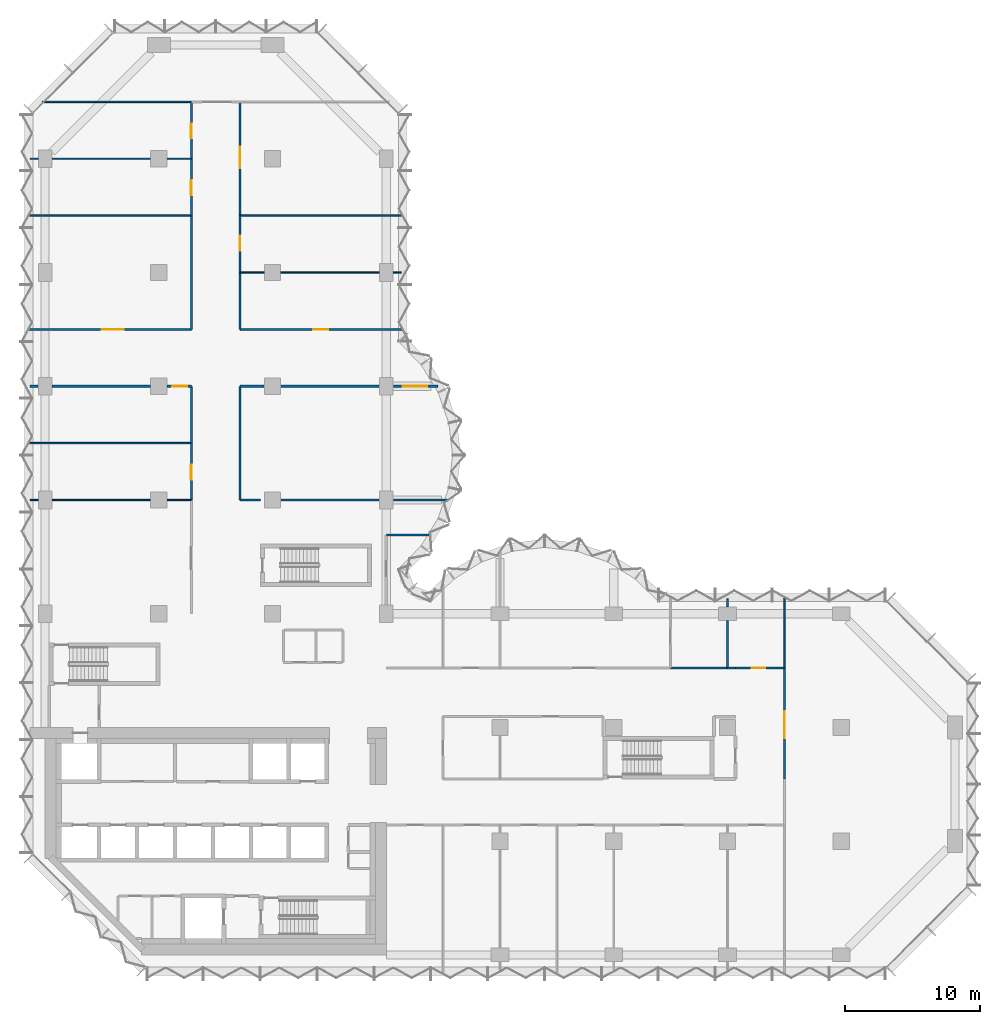
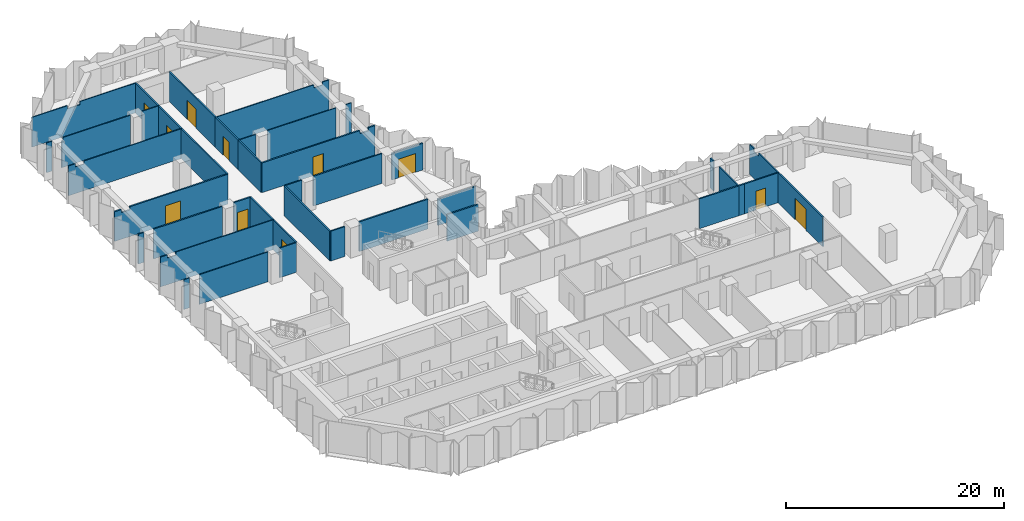
# One storey, part 10 of 13: 41 walls, 11 doors, 11 openings.
"""IFC4 building model written with IfcOpenShell, lengths in metres."""

import ifcopenshell
import ifcopenshell.guid

model = None  # the IFC model being written
_history = None  # IfcOwnerHistory: only IFC2X3 demands one
_inside = {}  # id of a spatial element -> (the spatial element, [elements in it])
_under = {}  # id of a project, library or spatial element -> (it, [spatial elements below it])
_declared = {}  # id of a project -> (the project, [libraries it declares])
_typed = {}  # id of a type object -> (the type object, [elements of that type])
_made_of = {}  # id of a material, layer set ... -> (it, [elements and type objects made of it])


def new_model(schema):
    """Start an empty IFC model of exactly this schema.

    Asked for "IFC4X3", IfcOpenShell would pick the latest addendum, in which some entities
    have other attributes; the version numbers below select the first issue.
    IFC2X3 requires an IfcOwnerHistory on every rooted entity: one is made here for all.
    """
    global model, _history
    if schema == "IFC4X3":
        model = ifcopenshell.file(schema_version=(4, 3, 0, 0))
    else:
        model = ifcopenshell.file(schema=schema)
    _inside.clear()
    _under.clear()
    _declared.clear()
    _typed.clear()
    _made_of.clear()
    _history = None
    if model.schema == "IFC2X3":
        org = make("IfcOrganization", Name="unknown")
        user = make(
            "IfcPersonAndOrganization",
            ThePerson=make("IfcPerson", FamilyName="unknown"),
            TheOrganization=org,
        )
        app = make(
            "IfcApplication",
            ApplicationDeveloper=org,
            Version="unknown",
            ApplicationFullName="unknown",
            ApplicationIdentifier="unknown",
        )
        _history = make(
            "IfcOwnerHistory",
            OwningUser=user,
            OwningApplication=app,
            ChangeAction="ADDED",
            CreationDate=0,
        )
    return model


def make(cls, **values):
    """One entity of the class cls with the attributes given. An attribute that is None is left unset."""
    return model.create_entity(
        cls, **{name: value for name, value in values.items() if value is not None}
    )


def rooted(cls, **values):
    """An entity with a GlobalId (a new one), such as an element, a storey or a relation."""
    return make(cls, GlobalId=ifcopenshell.guid.new(), OwnerHistory=_history, **values)


def si_unit(unit_type, name, prefix=None):
    """IfcSIUnit, for example si_unit("LENGTHUNIT", "METRE", prefix="MILLI")."""
    return make("IfcSIUnit", UnitType=unit_type, Prefix=prefix, Name=name)


def assignment(units):
    """IfcUnitAssignment: the units of a project."""
    return None if units is None else make("IfcUnitAssignment", Units=units)


def point(xyz):
    """IfcCartesianPoint."""
    return None if xyz is None else make("IfcCartesianPoint", Coordinates=xyz)


def direction(xyz):
    """IfcDirection."""
    return None if xyz is None else make("IfcDirection", DirectionRatios=xyz)


def frame(location, z_axis=None, x_axis=None):
    """IfcAxis2Placement3D, a coordinate frame: its origin and axes. An axis left out is left unset."""
    return make(
        "IfcAxis2Placement3D",
        Location=point(location),
        Axis=direction(z_axis),
        RefDirection=direction(x_axis),
    )


def frame_2d(location, x_axis=None):
    """IfcAxis2Placement2D, a coordinate frame in the plane: its origin and x axis."""
    return make(
        "IfcAxis2Placement2D", Location=point(location), RefDirection=direction(x_axis)
    )


def origin():
    """The frame at (0, 0, 0) with its axes left unset."""
    return frame((0.0, 0.0, 0.0))


def place(relative_to, where):
    """IfcLocalPlacement: puts the frame where relative to a parent placement (None: the world)."""
    return make(
        "IfcLocalPlacement", PlacementRelTo=relative_to, RelativePlacement=where
    )


def context(
    kind, dimensions, precision=None, world=None, true_north=None, identifier=None
):
    """IfcGeometricRepresentationContext, for example the 3D "Model" context."""
    return make(
        "IfcGeometricRepresentationContext",
        ContextIdentifier=identifier,
        ContextType=kind,
        CoordinateSpaceDimension=dimensions,
        Precision=precision,
        WorldCoordinateSystem=world,
        TrueNorth=true_north,
    )


def subcontext(parent, identifier, kind, view, scale=None):
    """IfcGeometricRepresentationSubContext, for example "Body" below "Model"."""
    return make(
        "IfcGeometricRepresentationSubContext",
        ContextIdentifier=identifier,
        ContextType=kind,
        ParentContext=parent,
        TargetScale=scale,
        TargetView=view,
    )


def project(units=None, contexts=None):
    """IfcProject with its units and contexts."""
    return rooted(
        "IfcProject",
        Name="project",
        RepresentationContexts=contexts,
        UnitsInContext=assignment(units),
    )


def spatial(cls, under=None, at=None, **own):
    """A site, building, storey or space (cls), placed at a placement, below another one or the project."""
    s = rooted(cls, ObjectPlacement=at, **own)
    if under is not None:
        _under.setdefault(under.id(), (under, []))[1].append(s)
    return s


def polyline(points):
    """IfcPolyline through the points."""
    return make("IfcPolyline", Points=[point(p) for p in points])


def profile(cls, at=None, kind="AREA", **sizes):
    """A parametric profile (cls). Its sizes go by their IFC names, for example OverallWidth=200.0."""
    return make(cls, ProfileType=kind, Position=at, **sizes)


def rectangle(**sizes):
    """IfcRectangleProfileDef."""
    return profile("IfcRectangleProfileDef", **sizes)


def outline(outer, holes=None, kind="AREA"):
    """IfcArbitraryClosedProfileDef: a profile drawn as a closed curve; with holes, ...WithVoids."""
    if holes is None:
        return make("IfcArbitraryClosedProfileDef", ProfileType=kind, OuterCurve=outer)
    return make(
        "IfcArbitraryProfileDefWithVoids",
        ProfileType=kind,
        OuterCurve=outer,
        InnerCurves=holes,
    )


def extrude(swept, where, along, depth):
    """IfcExtrudedAreaSolid: the profile swept, set in the frame where, extruded along a direction by depth."""
    return make(
        "IfcExtrudedAreaSolid",
        SweptArea=swept,
        Position=where,
        ExtrudedDirection=direction(along),
        Depth=depth,
    )


def shape(context_of_items, identifier, shape_type, items):
    """IfcShapeRepresentation: the items that make up one representation, for example the "Body"."""
    return make(
        "IfcShapeRepresentation",
        ContextOfItems=context_of_items,
        RepresentationIdentifier=identifier,
        RepresentationType=shape_type,
        Items=items,
    )


def material(Name=None, Category=None):
    """IfcMaterial."""
    return make("IfcMaterial", Name=Name, Category=Category)


def layer(
    of_material, thickness, ventilated=None, Name=None, Category=None, Priority=None
):
    """IfcMaterialLayer: one layer of a wall or slab, of a material (None: an air gap)."""
    return make(
        "IfcMaterialLayer",
        Material=of_material,
        LayerThickness=thickness,
        IsVentilated=ventilated,
        Name=Name,
        Category=Category,
        Priority=Priority,
    )


def layer_set(layers, Name=None):
    """IfcMaterialLayerSet."""
    return make("IfcMaterialLayerSet", MaterialLayers=layers, LayerSetName=Name)


def made_of(thing, what):
    """Note that an element or type object is made of a material, layer set ...; save() writes the relation."""
    if what is not None:
        _made_of.setdefault(what.id(), (what, []))[1].append(thing)
    return thing


def type_object(cls, material=None, **own):
    """A type object (cls), such as IfcWallType, which elements share."""
    return made_of(rooted(cls, **own), material)


def element(
    cls,
    number,
    at=None,
    inside=None,
    cuts=None,
    type_object=None,
    material=None,
    context=None,
    identifier="Body",
    shape_type=None,
    held_by="IfcProductDefinitionShape",
    body=None,
    shapes=None,
    **own,
):
    """One element of the class cls, such as IfcWall. Its Tag is "e" and its number.

    at: its placement. inside: the storey or other place that contains it. cuts: it is an
    opening in that element (IfcRelVoidsElement). A single representation is given by context,
    identifier, shape_type and body (its items); several are given by shapes. held_by: the class
    of the entity that holds the representations. save() writes the other relations.
    """
    e = rooted(cls, Tag="e%d" % number, ObjectPlacement=at, **own)
    if body is not None:
        shapes = [shape(context, identifier, shape_type, body)]
    if shapes is not None:
        e.Representation = make(held_by, Representations=shapes)
    if inside is not None:
        _inside.setdefault(inside.id(), (inside, []))[1].append(e)
    if cuts is not None:
        rooted(
            "IfcRelVoidsElement", RelatingBuildingElement=cuts, RelatedOpeningElement=e
        )
    if type_object is not None:
        _typed.setdefault(type_object.id(), (type_object, []))[1].append(e)
    return made_of(e, material)


def fill(opening, filler):
    """IfcRelFillsElement: the door or window that sits in an opening."""
    return rooted(
        "IfcRelFillsElement",
        RelatingOpeningElement=opening,
        RelatedBuildingElement=filler,
    )


def aggregate(whole, parts):
    """IfcRelAggregates: a whole, such as a stair, and the parts it consists of."""
    return rooted("IfcRelAggregates", RelatingObject=whole, RelatedObjects=parts)


def save(model, path):
    """Write the relations noted so far, then the file.

    IfcRelAggregates (storeys below a building ...), IfcRelContainedInSpatialStructure (elements
    in a storey), IfcRelDefinesByType, IfcRelAssociatesMaterial and IfcRelDeclares: one each for
    every whole, place, type object, material and project.
    """
    for whole, parts in _under.values():
        aggregate(whole, parts)
    for where, things in _inside.values():
        rooted(
            "IfcRelContainedInSpatialStructure",
            RelatedElements=things,
            RelatingStructure=where,
        )
    for kind, things in _typed.values():
        rooted("IfcRelDefinesByType", RelatedObjects=things, RelatingType=kind)
    for what, things in _made_of.values():
        rooted("IfcRelAssociatesMaterial", RelatedObjects=things, RelatingMaterial=what)
    for by, libraries in _declared.values():
        rooted("IfcRelDeclares", RelatingContext=by, RelatedDefinitions=libraries)
    model.write(path)


model = new_model("IFC4")

# Units and contexts
model_context = context("Model", 3, precision=1e-05, world=origin(), true_north=direction((0.0, 1.0)))
body_context = subcontext(model_context, "Body", "Model", "MODEL_VIEW")
ifc_project = project(units=[si_unit("LENGTHUNIT", "METRE"), si_unit("AREAUNIT", "SQUARE_METRE"), si_unit("VOLUMEUNIT", "CUBIC_METRE"), si_unit("PLANEANGLEUNIT", "RADIAN"), si_unit("MASSUNIT", "GRAM", prefix="KILO")], contexts=[model_context])

# Site, building, storey
site_placement = place(None, origin())
site = spatial("IfcSite", under=ifc_project, at=site_placement, CompositionType="ELEMENT")
building_placement = place(site_placement, origin())
building = spatial("IfcBuilding", under=site, at=building_placement, Name="Brevane Broadcast Tower", CompositionType="ELEMENT")
storey_placement = place(building_placement, frame((0.0, 0.0, 124.10009765625)))
storey = spatial("IfcBuildingStorey", under=building, at=storey_placement, Name="L30", CompositionType="ELEMENT", Elevation=124.10009765625)

# Walls
ifc_material_1 = material(Name="Gypsum board partition")
ifc_layer_1 = layer(ifc_material_1, 0.10009765625)
ifc_layer_set_1 = layer_set([ifc_layer_1], Name="PARTITION 100 STUD")
wall_type_1 = type_object("IfcWallType", Name="PARTITION 100 STUD", PredefinedType="PARTITIONING", material=ifc_layer_set_1)
wall_1_placement = place(storey_placement, frame((54.60009765625, 21.199951171875, 0.0), z_axis=(0.0, 0.0, 1.0), x_axis=(0.0, 1.0, 0.0)))
element("IfcWall", 1, at=wall_1_placement, inside=storey, type_object=wall_type_1, Name="Partition G09-018", PredefinedType="PARTITIONING", context=body_context, shape_type="SweptSolid", body=[
    extrude(outline(polyline([(0.0, 0.0), (5.174072265625, 0.0), (5.174072265625, 3.329833984375), (5.10009765625, 3.329833984375), (4.449951171875, 3.329833984375), (4.447998046875, 2.97998046875), (3.552001953125, 2.97998046875), (3.550048828125, 3.329833984375), (0.0, 3.329833984375), (0.0, 0.0)])), frame((0.0, 0.050048828125, 0.0), z_axis=(0.0, -1.0, 0.0), x_axis=(1.0, 0.0, 0.0)), (0.0, 0.0, 1.0), 0.10009765625),
])
wall_2_placement = place(storey_placement, frame((10.800048828125, 63.0, 0.0), z_axis=(0.0, 0.0, 1.0), x_axis=(-1.0, 0.0, 0.0)))
element("IfcWall", 2, at=wall_2_placement, inside=storey, type_object=wall_type_1, Name="Partition G09-061", PredefinedType="PARTITIONING", context=body_context, shape_type="SweptSolid", body=[
    extrude(outline(polyline([(0.0, 0.0), (11.0, 0.0), (11.0, 3.329833984375), (7.265625, 3.329833984375), (7.263671875, 2.97998046875), (5.936279296875, 2.97998046875), (5.934326171875, 3.329833984375), (0.0, 3.329833984375), (0.0, 0.0)])), frame((0.0, 0.050048828125, 0.0), z_axis=(0.0, -1.0, 0.0), x_axis=(1.0, 0.0, 0.0)), (0.0, 0.0, 1.0), 0.10009765625),
])
wall_3_placement = place(storey_placement, frame((-1.10009765625, 33.60009765625, 0.0), z_axis=(0.0, 0.0, 1.0), x_axis=(1.0, 0.0, 0.0)))
element("IfcWall", 3, at=wall_3_placement, inside=storey, type_object=wall_type_1, Name="Partition G09-067", PredefinedType="PARTITIONING", context=body_context, shape_type="SweptSolid", body=[
    extrude(rectangle(XDim=0.580078125, YDim=0.10009765625, at=frame_2d((0.2900390625, 0.0))), origin(), (0.0, 0.0, 1.0), 3.329833984375),
])
wall_4_placement = place(storey_placement, frame((0.52001953125, 33.60009765625, 0.0), z_axis=(0.0, 0.0, 1.0), x_axis=(1.0, 0.0, 0.0)))
element("IfcWall", 4, at=wall_4_placement, inside=storey, type_object=wall_type_1, Name="Partition G09-068", PredefinedType="PARTITIONING", context=body_context, shape_type="SweptSolid", body=[
    extrude(rectangle(XDim=7.260009765625, YDim=0.10009765625, at=frame_2d((3.6298828125, 0.0))), origin(), (0.0, 0.0, 1.0), 3.329833984375),
])
wall_5_placement = place(storey_placement, frame((9.02001953125, 33.60009765625, 0.0), z_axis=(0.0, 0.0, 1.0), x_axis=(1.0, 0.0, 0.0)))
element("IfcWall", 5, at=wall_5_placement, inside=storey, type_object=wall_type_1, Name="Partition G09-069", PredefinedType="PARTITIONING", context=body_context, shape_type="SweptSolid", body=[
    extrude(rectangle(XDim=1.780029296875, YDim=0.10009765625, at=frame_2d((0.89013671875, 0.0))), origin(), (0.0, 0.0, 1.0), 3.329833984375),
])
for number, where, z_axis, x_axis, name in (
    (6, (-1.174072265625, 37.800048828125, 0.0), (0.0, 0.0, 1.0), (1.0, 0.0, 0.0), "Partition G09-070"),
    (7, (-1.174072265625, 54.60009765625, 0.0), (0.0, 0.0, 1.0), (1.0, 0.0, 0.0), "Partition G09-071"),
):
    element("IfcWall", number, at=place(storey_placement, frame(where, z_axis=z_axis, x_axis=x_axis)), inside=storey, type_object=wall_type_1, Name=name, PredefinedType="PARTITIONING", context=body_context, shape_type="SweptSolid", body=[
        extrude(outline(polyline([(0.0, 0.0), (11.97412109375, 0.0), (11.97412109375, 3.329833984375), (1.6240234375, 3.329833984375), (1.6220703125, 2.97998046875), (0.72607421875, 2.97998046875), (0.72412109375, 3.329833984375), (0.073974609375, 3.329833984375), (0.0, 3.329833984375), (0.0, 0.0)])), frame((0.0, 0.050048828125, 0.0), z_axis=(0.0, -1.0, 0.0), x_axis=(1.0, 0.0, 0.0)), (0.0, 0.0, 1.0), 0.10009765625),
    ])
wall_6_placement = place(storey_placement, frame((-1.10009765625, 58.800048828125, 0.0), z_axis=(0.0, 0.0, 1.0), x_axis=(1.0, 0.0, 0.0)))
element("IfcWall", 8, at=wall_6_placement, inside=storey, type_object=wall_type_1, Name="Partition G09-072", PredefinedType="PARTITIONING", context=body_context, shape_type="SweptSolid", body=[
    extrude(rectangle(XDim=0.580078125, YDim=0.10009765625, at=frame_2d((0.2900390625, 0.0))), origin(), (0.0, 0.0, 1.0), 3.329833984375),
])
wall_7_placement = place(storey_placement, frame((0.52001953125, 58.800048828125, 0.0), z_axis=(0.0, 0.0, 1.0), x_axis=(1.0, 0.0, 0.0)))
element("IfcWall", 9, at=wall_7_placement, inside=storey, type_object=wall_type_1, Name="Partition G09-073", PredefinedType="PARTITIONING", context=body_context, shape_type="SweptSolid", body=[
    extrude(outline(polyline([(0.0, 0.0), (7.260009765625, 0.0), (7.260009765625, 3.329833984375), (0.145751953125, 3.329833984375), (0.143798828125, 2.97998046875), (0.0, 2.97998046875), (0.0, 0.0)])), frame((0.0, 0.050048828125, 0.0), z_axis=(0.0, -1.0, 0.0), x_axis=(1.0, 0.0, 0.0)), (0.0, 0.0, 1.0), 0.10009765625),
])
for number, where, z_axis, x_axis, name in (
    (10, (9.02001953125, 58.800048828125, 0.0), (0.0, 0.0, 1.0), (1.0, 0.0, 0.0), "Partition G09-074"),
    (11, (14.39990234375, 50.39990234375, 0.0), (0.0, 0.0, 1.0), (1.0, 0.0, 0.0), "Partition G09-079"),
):
    element("IfcWall", number, at=place(storey_placement, frame(where, z_axis=z_axis, x_axis=x_axis)), inside=storey, type_object=wall_type_1, Name=name, PredefinedType="PARTITIONING", context=body_context, shape_type="SweptSolid", body=[
        extrude(rectangle(XDim=1.780029296875, YDim=0.10009765625, at=frame_2d((0.89013671875, 0.0))), origin(), (0.0, 0.0, 1.0), 3.329833984375),
    ])
wall_8_placement = place(storey_placement, frame((17.419921875, 50.39990234375, 0.0), z_axis=(0.0, 0.0, 1.0), x_axis=(1.0, 0.0, 0.0)))
element("IfcWall", 12, at=wall_8_placement, inside=storey, type_object=wall_type_1, Name="Partition G09-080", PredefinedType="PARTITIONING", context=body_context, shape_type="SweptSolid", body=[
    extrude(rectangle(XDim=7.260009765625, YDim=0.10009765625, at=frame_2d((3.6298828125, 0.0))), origin(), (0.0, 0.0, 1.0), 3.329833984375),
])
wall_9_placement = place(storey_placement, frame((25.719970703125, 50.39990234375, 0.0), z_axis=(0.0, 0.0, 1.0), x_axis=(1.0, 0.0, 0.0)))
element("IfcWall", 13, at=wall_9_placement, inside=storey, type_object=wall_type_1, Name="Partition G09-081", PredefinedType="PARTITIONING", context=body_context, shape_type="SweptSolid", body=[
    extrude(rectangle(XDim=0.580078125, YDim=0.10009765625, at=frame_2d((0.2900390625, 0.0))), origin(), (0.0, 0.0, 1.0), 3.329833984375),
])
wall_10_placement = place(storey_placement, frame((14.39990234375, 54.60009765625, 0.0), z_axis=(0.0, 0.0, 1.0), x_axis=(1.0, 0.0, 0.0)))
element("IfcWall", 14, at=wall_10_placement, inside=storey, type_object=wall_type_1, Name="Partition G09-082", PredefinedType="PARTITIONING", context=body_context, shape_type="SweptSolid", body=[
    extrude(outline(polyline([(0.0, 0.0), (11.97412109375, 0.0), (11.97412109375, 3.329833984375), (11.89990234375, 3.329833984375), (11.25, 3.329833984375), (11.248046875, 2.97998046875), (10.35205078125, 2.97998046875), (10.35009765625, 3.329833984375), (0.0, 3.329833984375), (0.0, 0.0)])), frame((0.0, 0.050048828125, 0.0), z_axis=(0.0, -1.0, 0.0), x_axis=(1.0, 0.0, 0.0)), (0.0, 0.0, 1.0), 0.10009765625),
])
ifc_layer_2 = layer(ifc_material_1, 0.125)
ifc_layer_set_2 = layer_set([ifc_layer_2], Name="PARTITION 125 ACOUSTIC")
wall_type_2 = type_object("IfcWallType", Name="PARTITION 125 ACOUSTIC", PredefinedType="PARTITIONING", material=ifc_layer_set_2)
wall_11_placement = place(storey_placement, frame((50.39990234375, 26.300048828125, 0.0), z_axis=(0.0, 0.0, 1.0), x_axis=(0.0, -1.0, 0.0)))
element("IfcWall", 15, at=wall_11_placement, inside=storey, type_object=wall_type_2, Name="Partition G09-045", PredefinedType="PARTITIONING", context=body_context, shape_type="SweptSolid", body=[
    extrude(rectangle(XDim=0.580078125, YDim=0.125, at=frame_2d((0.2900390625, 0.0))), origin(), (0.0, 0.0, 1.0), 3.329833984375),
])
wall_12_placement = place(storey_placement, frame((50.39990234375, 24.679931640625, 0.0), z_axis=(0.0, 0.0, 1.0), x_axis=(0.0, -1.0, 0.0)))
element("IfcWall", 16, at=wall_12_placement, inside=storey, type_object=wall_type_2, Name="Partition G09-046", PredefinedType="PARTITIONING", context=body_context, shape_type="SweptSolid", body=[
    extrude(rectangle(XDim=3.47998046875, YDim=0.125, at=frame_2d((1.739990234375, 0.0))), origin(), (0.0, 0.0, 1.0), 3.329833984375),
])
ifc_layer_3 = layer(ifc_material_1, 0.14990234375)
ifc_layer_set_3 = layer_set([ifc_layer_3], Name="PARTITION 150 EI 60")
wall_type_3 = type_object("IfcWallType", Name="PARTITION 150 EI 60", PredefinedType="PARTITIONING", material=ifc_layer_set_3)
wall_13_placement = place(storey_placement, frame((25.199951171875, 31.0, 0.0), z_axis=(0.0, 0.0, 1.0), x_axis=(1.0, 0.0, 0.0)))
element("IfcWall", 17, at=wall_13_placement, inside=storey, type_object=wall_type_3, Name="Partition G09-006", PredefinedType="PARTITIONING", context=body_context, shape_type="SweptSolid", body=[
    extrude(rectangle(XDim=3.32421875, YDim=0.14990234375, at=frame_2d((1.662109375, 0.0))), origin(), (0.0, 0.0, 1.0), 2.97998046875),
])

# Wall, opening, door
wall_14_placement = place(storey_placement, frame((54.60009765625, 21.199951171875, 0.0), z_axis=(0.0, 0.0, 1.0), x_axis=(0.0, -1.0, 0.0)))
wall_14 = element("IfcWall", 18, at=wall_14_placement, inside=storey, type_object=wall_type_3, Name="Partition G09-016", PredefinedType="PARTITIONING", context=body_context, shape_type="SweptSolid", body=[
    extrude(rectangle(XDim=8.199951171875, YDim=0.14990234375, at=frame_2d((4.10009765625, 0.0))), origin(), (0.0, 0.0, 1.0), 3.329833984375),
])
opening_1_placement = place(wall_14_placement, frame((3.199951171875, 0.0, 0.0)))
opening_1 = element("IfcOpeningElement", 19, at=opening_1_placement, cuts=wall_14, Name="Opening D16-002", PredefinedType="OPENING", context=body_context, shape_type="SweptSolid", body=[
    extrude(rectangle(XDim=2.0, YDim=2.39990234375, at=frame_2d((1.0, 1.199951171875))), frame((0.0, 0.0849609375, 0.0), z_axis=(0.0, -1.0, 0.0), x_axis=(1.0, 0.0, 0.0)), (0.0, 0.0, 1.0), 0.169921875),
])
ifc_material_2 = material(Name="Fire-rated timber door leaf", Category="wood")
door_type_1 = type_object("IfcDoorType", Name="DOOR DOUBLE 2000 FD30S", OperationType="DOUBLE_DOOR_SINGLE_SWING", PredefinedType="DOOR", material=ifc_material_2)
door_1_placement = place(opening_1_placement, origin())
door_1 = element("IfcDoor", 20, at=door_1_placement, inside=storey, type_object=door_type_1, Name="Door D16-002", OperationType="DOUBLE_DOOR_SINGLE_SWING", OverallHeight=2.39990234375, OverallWidth=2.0, PredefinedType="DOOR", context=body_context, shape_type="SweptSolid", body=[
    extrude(rectangle(XDim=2.0, YDim=2.39990234375, at=frame_2d((1.0, 1.199951171875))), frame((0.0, 0.02490234375, 0.0), z_axis=(0.0, -1.0, 0.0), x_axis=(1.0, 0.0, 0.0)), (0.0, 0.0, 1.0), 0.050048828125),
])
fill(opening_1, door_1)

# Walls
wall_15_placement = place(storey_placement, frame((46.199951171875, 21.199951171875, 0.0), z_axis=(0.0, 0.0, 1.0), x_axis=(1.0, 0.0, 0.0)))
element("IfcWall", 21, at=wall_15_placement, inside=storey, type_object=wall_type_3, Name="Partition G09-026", PredefinedType="PARTITIONING", context=body_context, shape_type="SweptSolid", body=[
    extrude(rectangle(XDim=4.199951171875, YDim=0.14990234375, at=frame_2d((2.10009765625, 0.0))), origin(), (0.0, 0.0, 1.0), 3.329833984375),
])
wall_16_placement = place(storey_placement, frame((50.39990234375, 21.199951171875, 0.0), z_axis=(0.0, 0.0, 1.0), x_axis=(1.0, 0.0, 0.0)))
element("IfcWall", 22, at=wall_16_placement, inside=storey, type_object=wall_type_3, Name="Partition G09-027", PredefinedType="PARTITIONING", context=body_context, shape_type="SweptSolid", body=[
    extrude(rectangle(XDim=0.60009765625, YDim=0.14990234375, at=frame_2d((0.300048828125, 0.0))), origin(), (0.0, 0.0, 1.0), 3.329833984375),
])

# Wall, opening, door
wall_17_placement = place(storey_placement, frame((51.0, 21.199951171875, 0.0), z_axis=(0.0, 0.0, 1.0), x_axis=(1.0, 0.0, 0.0)))
wall_17 = element("IfcWall", 23, at=wall_17_placement, inside=storey, type_object=wall_type_3, Name="Partition G09-029", PredefinedType="PARTITIONING", context=body_context, shape_type="SweptSolid", body=[
    extrude(rectangle(XDim=3.60009765625, YDim=0.14990234375, at=frame_2d((1.800048828125, 0.0))), origin(), (0.0, 0.0, 1.0), 3.329833984375),
])
opening_2_placement = place(wall_17_placement, frame((1.199951171875, 0.0, 0.0)))
opening_2 = element("IfcOpeningElement", 24, at=opening_2_placement, cuts=wall_17, Name="Opening D16-015", PredefinedType="OPENING", context=body_context, shape_type="SweptSolid", body=[
    extrude(rectangle(XDim=1.0, YDim=2.10009765625, at=frame_2d((0.5, 1.050048828125))), frame((0.0, 0.0849609375, 0.0), z_axis=(0.0, -1.0, 0.0), x_axis=(1.0, 0.0, 0.0)), (0.0, 0.0, 1.0), 0.169921875),
])
door_type_2 = type_object("IfcDoorType", Name="DOOR SINGLE 1000 FD30S", OperationType="SINGLE_SWING_LEFT", PredefinedType="DOOR", material=ifc_material_2)
door_2_placement = place(opening_2_placement, origin())
door_2 = element("IfcDoor", 25, at=door_2_placement, inside=storey, type_object=door_type_2, Name="Door D16-015", OperationType="SINGLE_SWING_LEFT", OverallHeight=2.10009765625, OverallWidth=1.0, PredefinedType="DOOR", context=body_context, shape_type="SweptSolid", body=[
    extrude(rectangle(XDim=1.0, YDim=2.10009765625, at=frame_2d((0.5, 1.050048828125))), frame((0.0, 0.02490234375, 0.0), z_axis=(0.0, -1.0, 0.0), x_axis=(1.0, 0.0, 0.0)), (0.0, 0.0, 1.0), 0.050048828125),
])
fill(opening_2, door_2)

# Walls
wall_18_placement = place(storey_placement, frame((14.39990234375, 33.60009765625, 0.0), z_axis=(0.0, 0.0, 1.0), x_axis=(1.0, 0.0, 0.0)))
element("IfcWall", 26, at=wall_18_placement, inside=storey, type_object=wall_type_3, Name="Partition G09-048", PredefinedType="PARTITIONING", context=body_context, shape_type="SweptSolid", body=[
    extrude(rectangle(XDim=1.5, YDim=0.14990234375, at=frame_2d((0.75, 0.0))), origin(), (0.0, 0.0, 1.0), 3.329833984375),
])
wall_19_placement = place(storey_placement, frame((17.419921875, 33.60009765625, 0.0), z_axis=(0.0, 0.0, 1.0), x_axis=(1.0, 0.0, 0.0)))
element("IfcWall", 27, at=wall_19_placement, inside=storey, type_object=wall_type_3, Name="Partition G09-049", PredefinedType="PARTITIONING", context=body_context, shape_type="SweptSolid", body=[
    extrude(rectangle(XDim=7.260009765625, YDim=0.14990234375, at=frame_2d((3.6298828125, 0.0))), origin(), (0.0, 0.0, 1.0), 3.329833984375),
])
wall_20_placement = place(storey_placement, frame((25.719970703125, 33.60009765625, 0.0), z_axis=(0.0, 0.0, 1.0), x_axis=(1.0, 0.0, 0.0)))
element("IfcWall", 28, at=wall_20_placement, inside=storey, type_object=wall_type_3, Name="Partition G09-050", PredefinedType="PARTITIONING", context=body_context, shape_type="SweptSolid", body=[
    extrude(rectangle(XDim=4.0419921875, YDim=0.14990234375, at=frame_2d((2.02099609375, 0.0))), origin(), (0.0, 0.0, 1.0), 2.97998046875),
])

# Wall, opening, door
wall_21_placement = place(storey_placement, frame((10.800048828125, 33.60009765625, 0.0), z_axis=(0.0, 0.0, 1.0), x_axis=(0.0, 1.0, 0.0)))
wall_21 = element("IfcWall", 29, at=wall_21_placement, inside=storey, type_object=wall_type_3, Name="Partition G09-052", PredefinedType="PARTITIONING", context=body_context, shape_type="SweptSolid", body=[
    extrude(rectangle(XDim=4.199951171875, YDim=0.14990234375, at=frame_2d((2.10009765625, 0.0))), origin(), (0.0, 0.0, 1.0), 3.329833984375),
])
opening_3_placement = place(wall_21_placement, frame((1.5, 0.0, 0.0)))
opening_3 = element("IfcOpeningElement", 30, at=opening_3_placement, cuts=wall_21, Name="Opening D16-018", PredefinedType="OPENING", context=body_context, shape_type="SweptSolid", body=[
    extrude(rectangle(XDim=1.10009765625, YDim=2.10009765625, at=frame_2d((0.550048828125, 1.050048828125))), frame((0.0, 0.0849609375, 0.0), z_axis=(0.0, -1.0, 0.0), x_axis=(1.0, 0.0, 0.0)), (0.0, 0.0, 1.0), 0.169921875),
])
door_type_3 = type_object("IfcDoorType", Name="DOOR SINGLE 1100 FD30S", OperationType="SINGLE_SWING_LEFT", PredefinedType="DOOR", material=ifc_material_2)
door_3_placement = place(opening_3_placement, origin())
door_3 = element("IfcDoor", 31, at=door_3_placement, inside=storey, type_object=door_type_3, Name="Door D16-018", OperationType="SINGLE_SWING_LEFT", OverallHeight=2.10009765625, OverallWidth=1.10009765625, PredefinedType="DOOR", context=body_context, shape_type="SweptSolid", body=[
    extrude(rectangle(XDim=1.10009765625, YDim=2.10009765625, at=frame_2d((0.550048828125, 1.050048828125))), frame((0.0, 0.02490234375, 0.0), z_axis=(0.0, -1.0, 0.0), x_axis=(1.0, 0.0, 0.0)), (0.0, 0.0, 1.0), 0.050048828125),
])
fill(opening_3, door_3)

# Walls
wall_22_placement = place(storey_placement, frame((10.800048828125, 37.800048828125, 0.0), z_axis=(0.0, 0.0, 1.0), x_axis=(0.0, 1.0, 0.0)))
element("IfcWall", 32, at=wall_22_placement, inside=storey, type_object=wall_type_3, Name="Partition G09-053", PredefinedType="PARTITIONING", context=body_context, shape_type="SweptSolid", body=[
    extrude(rectangle(XDim=4.199951171875, YDim=0.14990234375, at=frame_2d((2.10009765625, 0.0))), origin(), (0.0, 0.0, 1.0), 3.329833984375),
])
wall_23_placement = place(storey_placement, frame((10.800048828125, 46.199951171875, 0.0), z_axis=(0.0, 0.0, 1.0), x_axis=(0.0, 1.0, 0.0)))
element("IfcWall", 33, at=wall_23_placement, inside=storey, type_object=wall_type_3, Name="Partition G09-054", PredefinedType="PARTITIONING", context=body_context, shape_type="SweptSolid", body=[
    extrude(rectangle(XDim=8.400146484375, YDim=0.14990234375, at=frame_2d((4.2001953125, 0.0))), origin(), (0.0, 0.0, 1.0), 3.329833984375),
])

# Wall, opening, door
wall_24_placement = place(storey_placement, frame((10.800048828125, 54.60009765625, 0.0), z_axis=(0.0, 0.0, 1.0), x_axis=(0.0, 1.0, 0.0)))
wall_24 = element("IfcWall", 34, at=wall_24_placement, inside=storey, type_object=wall_type_3, Name="Partition G09-055", PredefinedType="PARTITIONING", context=body_context, shape_type="SweptSolid", body=[
    extrude(rectangle(XDim=4.199951171875, YDim=0.14990234375, at=frame_2d((2.10009765625, 0.0))), origin(), (0.0, 0.0, 1.0), 3.329833984375),
])
opening_4_placement = place(wall_24_placement, frame((1.5, 0.0, 0.0)))
opening_4 = element("IfcOpeningElement", 35, at=opening_4_placement, cuts=wall_24, Name="Opening D16-021", PredefinedType="OPENING", context=body_context, shape_type="SweptSolid", body=[
    extrude(rectangle(XDim=1.10009765625, YDim=2.10009765625, at=frame_2d((0.550048828125, 1.050048828125))), frame((0.0, 0.0849609375, 0.0), z_axis=(0.0, -1.0, 0.0), x_axis=(1.0, 0.0, 0.0)), (0.0, 0.0, 1.0), 0.169921875),
])
door_4_placement = place(opening_4_placement, origin())
door_4 = element("IfcDoor", 36, at=door_4_placement, inside=storey, type_object=door_type_3, Name="Door D16-021", OperationType="SINGLE_SWING_LEFT", OverallHeight=2.10009765625, OverallWidth=1.10009765625, PredefinedType="DOOR", context=body_context, shape_type="SweptSolid", body=[
    extrude(rectangle(XDim=1.10009765625, YDim=2.10009765625, at=frame_2d((0.550048828125, 1.050048828125))), frame((0.0, 0.02490234375, 0.0), z_axis=(0.0, -1.0, 0.0), x_axis=(1.0, 0.0, 0.0)), (0.0, 0.0, 1.0), 0.050048828125),
])
fill(opening_4, door_4)

wall_25_placement = place(storey_placement, frame((10.800048828125, 58.800048828125, 0.0), z_axis=(0.0, 0.0, 1.0), x_axis=(0.0, 1.0, 0.0)))
wall_25 = element("IfcWall", 37, at=wall_25_placement, inside=storey, type_object=wall_type_3, Name="Partition G09-056", PredefinedType="PARTITIONING", context=body_context, shape_type="SweptSolid", body=[
    extrude(rectangle(XDim=4.199951171875, YDim=0.14990234375, at=frame_2d((2.10009765625, 0.0))), origin(), (0.0, 0.0, 1.0), 3.329833984375),
])
opening_5_placement = place(wall_25_placement, frame((1.5, 0.0, 0.0)))
opening_5 = element("IfcOpeningElement", 38, at=opening_5_placement, cuts=wall_25, Name="Opening D16-022", PredefinedType="OPENING", context=body_context, shape_type="SweptSolid", body=[
    extrude(rectangle(XDim=1.10009765625, YDim=2.10009765625, at=frame_2d((0.550048828125, 1.050048828125))), frame((0.0, 0.0849609375, 0.0), z_axis=(0.0, -1.0, 0.0), x_axis=(1.0, 0.0, 0.0)), (0.0, 0.0, 1.0), 0.169921875),
])
door_5_placement = place(opening_5_placement, origin())
door_5 = element("IfcDoor", 39, at=door_5_placement, inside=storey, type_object=door_type_3, Name="Door D16-022", OperationType="SINGLE_SWING_LEFT", OverallHeight=2.10009765625, OverallWidth=1.10009765625, PredefinedType="DOOR", context=body_context, shape_type="SweptSolid", body=[
    extrude(rectangle(XDim=1.10009765625, YDim=2.10009765625, at=frame_2d((0.550048828125, 1.050048828125))), frame((0.0, 0.02490234375, 0.0), z_axis=(0.0, -1.0, 0.0), x_axis=(1.0, 0.0, 0.0)), (0.0, 0.0, 1.0), 0.050048828125),
])
fill(opening_5, door_5)

# Walls
wall_26_placement = place(storey_placement, frame((14.39990234375, 42.0, 0.0), z_axis=(0.0, 0.0, 1.0), x_axis=(0.0, -1.0, 0.0)))
element("IfcWall", 40, at=wall_26_placement, inside=storey, type_object=wall_type_3, Name="Partition G09-057", PredefinedType="PARTITIONING", context=body_context, shape_type="SweptSolid", body=[
    extrude(rectangle(XDim=8.39990234375, YDim=0.14990234375, at=frame_2d((4.199951171875, 0.0))), origin(), (0.0, 0.0, 1.0), 3.329833984375),
])
wall_27_placement = place(storey_placement, frame((14.39990234375, 50.39990234375, 0.0), z_axis=(0.0, 0.0, 1.0), x_axis=(0.0, -1.0, 0.0)))
element("IfcWall", 41, at=wall_27_placement, inside=storey, type_object=wall_type_3, Name="Partition G09-058", PredefinedType="PARTITIONING", context=body_context, shape_type="SweptSolid", body=[
    extrude(rectangle(XDim=4.199951171875, YDim=0.14990234375, at=frame_2d((2.10009765625, 0.0))), origin(), (0.0, 0.0, 1.0), 3.329833984375),
])

# Wall, opening, door
wall_28_placement = place(storey_placement, frame((14.39990234375, 54.60009765625, 0.0), z_axis=(0.0, 0.0, 1.0), x_axis=(0.0, -1.0, 0.0)))
wall_28 = element("IfcWall", 42, at=wall_28_placement, inside=storey, type_object=wall_type_3, Name="Partition G09-059", PredefinedType="PARTITIONING", context=body_context, shape_type="SweptSolid", body=[
    extrude(rectangle(XDim=4.2001953125, YDim=0.14990234375, at=frame_2d((2.10009765625, 0.0))), origin(), (0.0, 0.0, 1.0), 3.329833984375),
])
opening_6_placement = place(wall_28_placement, frame((1.5, 0.0, 0.0)))
opening_6 = element("IfcOpeningElement", 43, at=opening_6_placement, cuts=wall_28, Name="Opening D16-025", PredefinedType="OPENING", context=body_context, shape_type="SweptSolid", body=[
    extrude(rectangle(XDim=1.10009765625, YDim=2.10009765625, at=frame_2d((0.550048828125, 1.050048828125))), frame((0.0, 0.0849609375, 0.0), z_axis=(0.0, -1.0, 0.0), x_axis=(1.0, 0.0, 0.0)), (0.0, 0.0, 1.0), 0.169921875),
])
door_6_placement = place(opening_6_placement, origin())
door_6 = element("IfcDoor", 44, at=door_6_placement, inside=storey, type_object=door_type_3, Name="Door D16-025", OperationType="SINGLE_SWING_LEFT", OverallHeight=2.10009765625, OverallWidth=1.10009765625, PredefinedType="DOOR", context=body_context, shape_type="SweptSolid", body=[
    extrude(rectangle(XDim=1.10009765625, YDim=2.10009765625, at=frame_2d((0.550048828125, 1.050048828125))), frame((0.0, 0.02490234375, 0.0), z_axis=(0.0, -1.0, 0.0), x_axis=(1.0, 0.0, 0.0)), (0.0, 0.0, 1.0), 0.050048828125),
])
fill(opening_6, door_6)

wall_29_placement = place(storey_placement, frame((14.39990234375, 63.0, 0.0), z_axis=(0.0, 0.0, 1.0), x_axis=(0.0, -1.0, 0.0)))
wall_29 = element("IfcWall", 45, at=wall_29_placement, inside=storey, type_object=wall_type_3, Name="Partition G09-060", PredefinedType="PARTITIONING", context=body_context, shape_type="SweptSolid", body=[
    extrude(rectangle(XDim=8.39990234375, YDim=0.14990234375, at=frame_2d((4.199951171875, 0.0))), origin(), (0.0, 0.0, 1.0), 3.329833984375),
])
opening_7_placement = place(wall_29_placement, frame((3.300048828125, 0.0, 0.0)))
opening_7 = element("IfcOpeningElement", 46, at=opening_7_placement, cuts=wall_29, Name="Opening D16-026", PredefinedType="OPENING", context=body_context, shape_type="SweptSolid", body=[
    extrude(rectangle(XDim=1.60009765625, YDim=2.10009765625, at=frame_2d((0.800048828125, 1.050048828125))), frame((0.0, 0.0849609375, 0.0), z_axis=(0.0, -1.0, 0.0), x_axis=(1.0, 0.0, 0.0)), (0.0, 0.0, 1.0), 0.169921875),
])
door_type_4 = type_object("IfcDoorType", Name="DOOR DOUBLE 1600 FD30S", OperationType="DOUBLE_DOOR_SINGLE_SWING", PredefinedType="DOOR", material=ifc_material_2)
door_7_placement = place(opening_7_placement, origin())
door_7 = element("IfcDoor", 47, at=door_7_placement, inside=storey, type_object=door_type_4, Name="Door D16-026", OperationType="DOUBLE_DOOR_SINGLE_SWING", OverallHeight=2.10009765625, OverallWidth=1.60009765625, PredefinedType="DOOR", context=body_context, shape_type="SweptSolid", body=[
    extrude(rectangle(XDim=1.60009765625, YDim=2.10009765625, at=frame_2d((0.800048828125, 1.050048828125))), frame((0.0, 0.02490234375, 0.0), z_axis=(0.0, -1.0, 0.0), x_axis=(1.0, 0.0, 0.0)), (0.0, 0.0, 1.0), 0.050048828125),
])
fill(opening_7, door_7)

wall_30_placement = place(storey_placement, frame((10.800048828125, 42.0, 0.0), z_axis=(0.0, 0.0, 1.0), x_axis=(-1.0, 0.0, 0.0)))
wall_30 = element("IfcWall", 48, at=wall_30_placement, inside=storey, type_object=wall_type_3, Name="Partition G09-063", PredefinedType="PARTITIONING", context=body_context, shape_type="SweptSolid", body=[
    extrude(rectangle(XDim=1.780029296875, YDim=0.14990234375, at=frame_2d((0.89013671875, 0.0))), origin(), (0.0, 0.0, 1.0), 3.329833984375),
])
opening_8_placement = place(wall_30_placement, frame((0.300048828125, 0.0, 0.0)))
opening_8 = element("IfcOpeningElement", 49, at=opening_8_placement, cuts=wall_30, Name="Opening D16-019", PredefinedType="OPENING", context=body_context, shape_type="SweptSolid", body=[
    extrude(rectangle(XDim=1.10009765625, YDim=2.10009765625, at=frame_2d((0.550048828125, 1.050048828125))), frame((0.0, 0.0849609375, 0.0), z_axis=(0.0, -1.0, 0.0), x_axis=(1.0, 0.0, 0.0)), (0.0, 0.0, 1.0), 0.169921875),
])
door_8_placement = place(opening_8_placement, origin())
door_8 = element("IfcDoor", 50, at=door_8_placement, inside=storey, type_object=door_type_3, Name="Door D16-019", OperationType="SINGLE_SWING_LEFT", OverallHeight=2.10009765625, OverallWidth=1.10009765625, PredefinedType="DOOR", context=body_context, shape_type="SweptSolid", body=[
    extrude(rectangle(XDim=1.10009765625, YDim=2.10009765625, at=frame_2d((0.550048828125, 1.050048828125))), frame((0.0, 0.02490234375, 0.0), z_axis=(0.0, -1.0, 0.0), x_axis=(1.0, 0.0, 0.0)), (0.0, 0.0, 1.0), 0.050048828125),
])
fill(opening_8, door_8)

# Walls
wall_31_placement = place(storey_placement, frame((7.780029296875, 42.0, 0.0), z_axis=(0.0, 0.0, 1.0), x_axis=(-1.0, 0.0, 0.0)))
element("IfcWall", 51, at=wall_31_placement, inside=storey, type_object=wall_type_3, Name="Partition G09-064", PredefinedType="PARTITIONING", context=body_context, shape_type="SweptSolid", body=[
    extrude(rectangle(XDim=7.260009765625, YDim=0.14990234375, at=frame_2d((3.6298828125, 0.0))), origin(), (0.0, 0.0, 1.0), 3.329833984375),
])
wall_32_placement = place(storey_placement, frame((-0.52001953125, 42.0, 0.0), z_axis=(0.0, 0.0, 1.0), x_axis=(-1.0, 0.0, 0.0)))
element("IfcWall", 52, at=wall_32_placement, inside=storey, type_object=wall_type_3, Name="Partition G09-065", PredefinedType="PARTITIONING", context=body_context, shape_type="SweptSolid", body=[
    extrude(rectangle(XDim=0.580078125, YDim=0.14990234375, at=frame_2d((0.2900390625, 0.0))), origin(), (0.0, 0.0, 1.0), 3.329833984375),
])

# Wall, opening, door
wall_33_placement = place(storey_placement, frame((-1.174072265625, 46.199951171875, 0.0), z_axis=(0.0, 0.0, 1.0), x_axis=(1.0, 0.0, 0.0)))
wall_33 = element("IfcWall", 53, at=wall_33_placement, inside=storey, type_object=wall_type_3, Name="Partition G09-066", PredefinedType="PARTITIONING", context=body_context, shape_type="SweptSolid", body=[
    extrude(outline(polyline([(0.0, 0.0), (11.97412109375, 0.0), (11.97412109375, 3.329833984375), (1.6240234375, 3.329833984375), (1.6220703125, 2.97998046875), (0.72607421875, 2.97998046875), (0.72412109375, 3.329833984375), (0.073974609375, 3.329833984375), (0.0, 3.329833984375), (0.0, 0.0)])), frame((0.0, 0.074951171875, 0.0), z_axis=(0.0, -1.0, 0.0), x_axis=(1.0, 0.0, 0.0)), (0.0, 0.0, 1.0), 0.14990234375),
])
opening_9_placement = place(wall_33_placement, frame((5.3740234375, 0.0, 0.0)))
opening_9 = element("IfcOpeningElement", 54, at=opening_9_placement, cuts=wall_33, Name="Opening D16-020", PredefinedType="OPENING", context=body_context, shape_type="SweptSolid", body=[
    extrude(rectangle(XDim=1.60009765625, YDim=2.10009765625, at=frame_2d((0.800048828125, 1.050048828125))), frame((0.0, 0.0849609375, 0.0), z_axis=(0.0, -1.0, 0.0), x_axis=(1.0, 0.0, 0.0)), (0.0, 0.0, 1.0), 0.169921875),
])
door_9_placement = place(opening_9_placement, origin())
door_9 = element("IfcDoor", 55, at=door_9_placement, inside=storey, type_object=door_type_4, Name="Door D16-020", OperationType="DOUBLE_DOOR_SINGLE_SWING", OverallHeight=2.10009765625, OverallWidth=1.60009765625, PredefinedType="DOOR", context=body_context, shape_type="SweptSolid", body=[
    extrude(rectangle(XDim=1.60009765625, YDim=2.10009765625, at=frame_2d((0.800048828125, 1.050048828125))), frame((0.0, 0.02490234375, 0.0), z_axis=(0.0, -1.0, 0.0), x_axis=(1.0, 0.0, 0.0)), (0.0, 0.0, 1.0), 0.050048828125),
])
fill(opening_9, door_9)

wall_34_placement = place(storey_placement, frame((29.011474609375, 42.0, 0.0), z_axis=(0.0, 0.0, 1.0), x_axis=(-1.0, 0.0, 0.0)))
wall_34 = element("IfcWall", 56, at=wall_34_placement, inside=storey, type_object=wall_type_3, Name="Partition G09-075", PredefinedType="PARTITIONING", context=body_context, shape_type="SweptSolid", body=[
    extrude(rectangle(XDim=3.29150390625, YDim=0.14990234375, at=frame_2d((1.645751953125, 0.0))), origin(), (0.0, 0.0, 1.0), 2.97998046875),
])
opening_10_placement = place(wall_34_placement, frame((0.800048828125, 0.0, 0.0)))
opening_10 = element("IfcOpeningElement", 57, at=opening_10_placement, cuts=wall_34, Name="Opening D16-023", PredefinedType="OPENING", context=body_context, shape_type="SweptSolid", body=[
    extrude(rectangle(XDim=1.800048828125, YDim=2.10009765625, at=frame_2d((0.89990234375, 1.050048828125))), frame((0.0, 0.0849609375, 0.0), z_axis=(0.0, -1.0, 0.0), x_axis=(1.0, 0.0, 0.0)), (0.0, 0.0, 1.0), 0.169921875),
])
door_type_5 = type_object("IfcDoorType", Name="DOOR DOUBLE 1800 FD30S", OperationType="DOUBLE_DOOR_SINGLE_SWING", PredefinedType="DOOR", material=ifc_material_2)
door_10_placement = place(opening_10_placement, origin())
door_10 = element("IfcDoor", 58, at=door_10_placement, inside=storey, type_object=door_type_5, Name="Door D16-023", OperationType="DOUBLE_DOOR_SINGLE_SWING", OverallHeight=2.10009765625, OverallWidth=1.800048828125, PredefinedType="DOOR", context=body_context, shape_type="SweptSolid", body=[
    extrude(rectangle(XDim=1.800048828125, YDim=2.10009765625, at=frame_2d((0.89990234375, 1.050048828125))), frame((0.0, 0.02490234375, 0.0), z_axis=(0.0, -1.0, 0.0), x_axis=(1.0, 0.0, 0.0)), (0.0, 0.0, 1.0), 0.050048828125),
])
fill(opening_10, door_10)

# Walls
wall_35_placement = place(storey_placement, frame((24.679931640625, 42.0, 0.0), z_axis=(0.0, 0.0, 1.0), x_axis=(-1.0, 0.0, 0.0)))
element("IfcWall", 59, at=wall_35_placement, inside=storey, type_object=wall_type_3, Name="Partition G09-076", PredefinedType="PARTITIONING", context=body_context, shape_type="SweptSolid", body=[
    extrude(rectangle(XDim=7.260009765625, YDim=0.14990234375, at=frame_2d((3.6298828125, 0.0))), origin(), (0.0, 0.0, 1.0), 3.329833984375),
])
wall_36_placement = place(storey_placement, frame((16.179931640625, 42.0, 0.0), z_axis=(0.0, 0.0, 1.0), x_axis=(-1.0, 0.0, 0.0)))
element("IfcWall", 60, at=wall_36_placement, inside=storey, type_object=wall_type_3, Name="Partition G09-077", PredefinedType="PARTITIONING", context=body_context, shape_type="SweptSolid", body=[
    extrude(rectangle(XDim=1.780029296875, YDim=0.14990234375, at=frame_2d((0.89013671875, 0.0))), origin(), (0.0, 0.0, 1.0), 3.329833984375),
])

# Wall, opening, door
wall_37_placement = place(storey_placement, frame((14.39990234375, 46.199951171875, 0.0), z_axis=(0.0, 0.0, 1.0), x_axis=(1.0, 0.0, 0.0)))
wall_37 = element("IfcWall", 61, at=wall_37_placement, inside=storey, type_object=wall_type_3, Name="Partition G09-078", PredefinedType="PARTITIONING", context=body_context, shape_type="SweptSolid", body=[
    extrude(outline(polyline([(0.0, 0.0), (11.97412109375, 0.0), (11.97412109375, 3.329833984375), (11.89990234375, 3.329833984375), (11.25, 3.329833984375), (11.248046875, 2.97998046875), (10.35205078125, 2.97998046875), (10.35009765625, 3.329833984375), (0.0, 3.329833984375), (0.0, 0.0)])), frame((0.0, 0.074951171875, 0.0), z_axis=(0.0, -1.0, 0.0), x_axis=(1.0, 0.0, 0.0)), (0.0, 0.0, 1.0), 0.14990234375),
])
opening_11_placement = place(wall_37_placement, frame((5.39990234375, 0.0, 0.0)))
opening_11 = element("IfcOpeningElement", 62, at=opening_11_placement, cuts=wall_37, Name="Opening D16-024", PredefinedType="OPENING", context=body_context, shape_type="SweptSolid", body=[
    extrude(rectangle(XDim=1.10009765625, YDim=2.10009765625, at=frame_2d((0.550048828125, 1.050048828125))), frame((0.0, 0.0849609375, 0.0), z_axis=(0.0, -1.0, 0.0), x_axis=(1.0, 0.0, 0.0)), (0.0, 0.0, 1.0), 0.169921875),
])
door_11_placement = place(opening_11_placement, origin())
door_11 = element("IfcDoor", 63, at=door_11_placement, inside=storey, type_object=door_type_3, Name="Door D16-024", OperationType="SINGLE_SWING_LEFT", OverallHeight=2.10009765625, OverallWidth=1.10009765625, PredefinedType="DOOR", context=body_context, shape_type="SweptSolid", body=[
    extrude(rectangle(XDim=1.10009765625, YDim=2.10009765625, at=frame_2d((0.550048828125, 1.050048828125))), frame((0.0, 0.02490234375, 0.0), z_axis=(0.0, -1.0, 0.0), x_axis=(1.0, 0.0, 0.0)), (0.0, 0.0, 1.0), 0.050048828125),
])
fill(opening_11, door_11)

save(model, "model.ifc")
